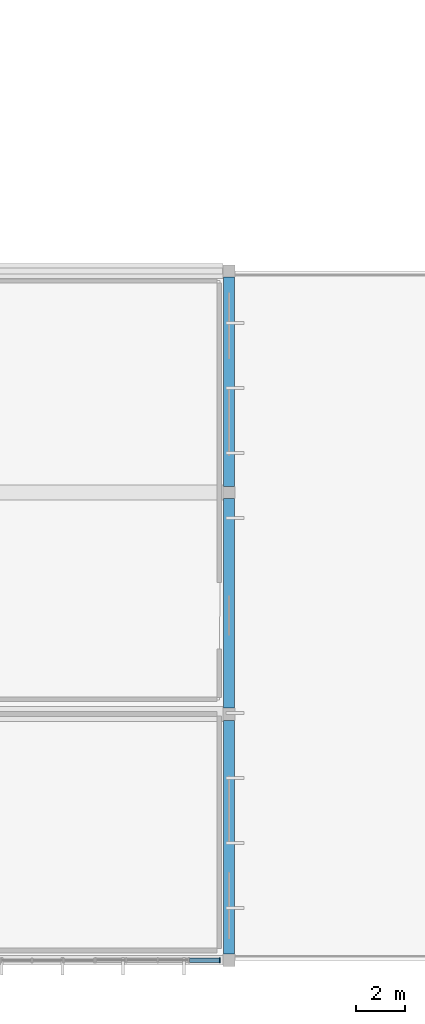
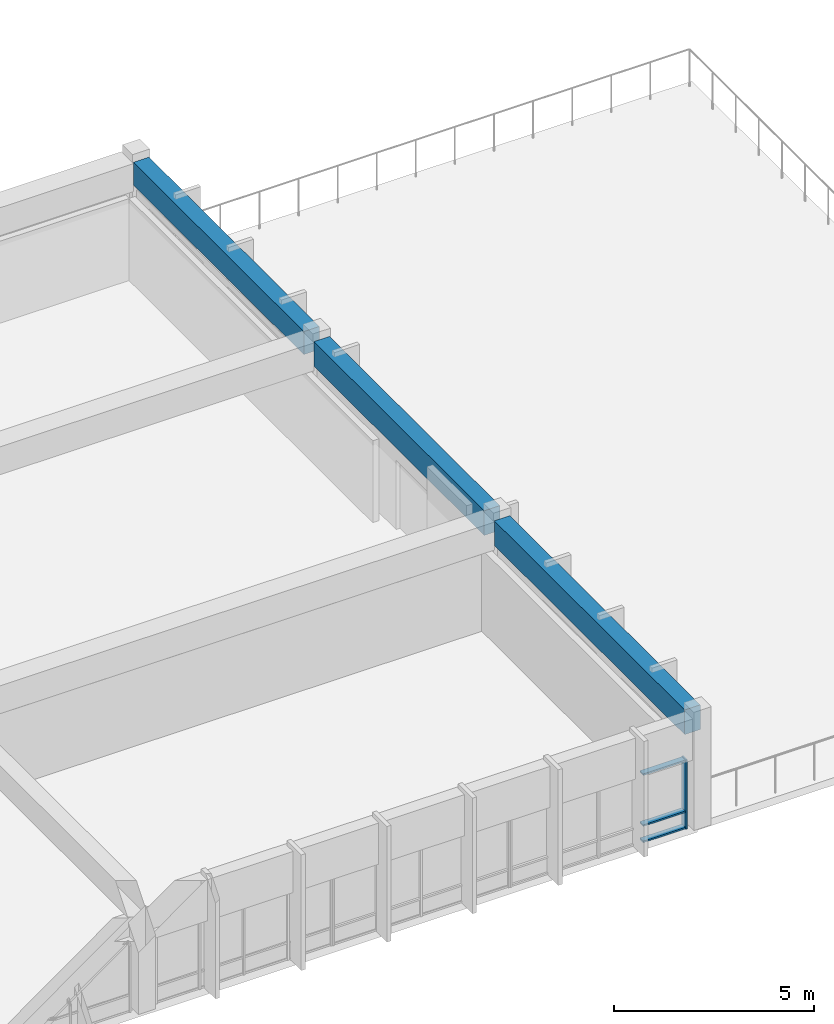
# One storey, part 16 of 33: 4 members, 3 beams, 1 element without a shape of its own.
"""IFC4 building model written with IfcOpenShell, lengths in metres."""

from ifc_helpers import new_model, si_unit, direction, frame, origin, origin_2d, place, context, subcontext, project, spatial, rectangle, extrude, material, material_profile, profile_set, type_object, element, aggregate, save


model = new_model("IFC4")

# Units and contexts
model_context = context("Model", 3, precision=1e-05, world=origin(), true_north=direction((0.0, 1.0)))
body_context = subcontext(model_context, "Body", "Model", "MODEL_VIEW")
ifc_project = project(units=[si_unit("LENGTHUNIT", "METRE"), si_unit("AREAUNIT", "SQUARE_METRE"), si_unit("VOLUMEUNIT", "CUBIC_METRE"), si_unit("PLANEANGLEUNIT", "RADIAN"), si_unit("MASSUNIT", "GRAM", prefix="KILO")], contexts=[model_context])

# Site, building, storey
site_placement = place(None, origin())
site = spatial("IfcSite", under=ifc_project, at=site_placement, CompositionType="ELEMENT")
building_placement = place(site_placement, origin())
building = spatial("IfcBuilding", under=site, at=building_placement, Name="Larkveld Mobility Hub", CompositionType="ELEMENT")
storey_placement = place(building_placement, frame((0.0, 0.0, 15.60009765625)))
storey = spatial("IfcBuildingStorey", under=building, at=storey_placement, Name="L04", CompositionType="ELEMENT", Elevation=15.60009765625)

# Beams
ifc_material_1 = material(Name="Concrete C40/50", Category="concrete")
ifc_material_profile_1 = material_profile(ifc_material_1, rectangle(XDim=0.449951171875, YDim=0.699951171875, at=origin_2d()), Name="RC BM 450x700")
ifc_profile_set_1 = profile_set([ifc_material_profile_1], Name="Concrete C40/50")
beam_type_1 = type_object("IfcBeamType", Name="BM-RC4570", PredefinedType="BEAM", material=ifc_profile_set_1)
beam_1_placement = place(storey_placement, frame((168.0, 19.25, 3.010009765625), z_axis=(0.0, 1.0, 0.0), x_axis=(-1.0, 0.0, 0.0)))
element("IfcBeam", 1, at=beam_1_placement, inside=storey, type_object=beam_type_1, Name="Primary N-S Girder L04-0943", PredefinedType="BEAM", context=body_context, shape_type="SweptSolid", body=[
    extrude(rectangle(XDim=0.449951171875, YDim=0.699951171875, at=origin_2d()), origin(), (0.0, 0.0, 1.0), 8.5),
])
ifc_material_profile_2 = material_profile(ifc_material_1, rectangle(XDim=0.449951171875, YDim=0.75, at=origin_2d()), Name="RC BM 450x750")
ifc_profile_set_2 = profile_set([ifc_material_profile_2], Name="Concrete C40/50")
beam_type_2 = type_object("IfcBeamType", Name="BM-RC4575", PredefinedType="BEAM", material=ifc_profile_set_2)
beam_2_placement = place(storey_placement, frame((168.0, 0.25, 2.98486328125), z_axis=(0.0, 1.0, 0.0), x_axis=(-1.0, 0.0, 0.0)))
element("IfcBeam", 2, at=beam_2_placement, inside=storey, type_object=beam_type_2, Name="Primary N-S Girder L04-0941", PredefinedType="BEAM", context=body_context, shape_type="SweptSolid", body=[
    extrude(rectangle(XDim=0.449951171875, YDim=0.75, at=origin_2d()), origin(), (0.0, 0.0, 1.0), 9.5),
])
beam_3_placement = place(storey_placement, frame((168.0, 10.25, 2.98486328125), z_axis=(0.0, 1.0, 0.0), x_axis=(-1.0, 0.0, 0.0)))
element("IfcBeam", 3, at=beam_3_placement, inside=storey, type_object=beam_type_2, Name="Primary N-S Girder L04-0942", PredefinedType="BEAM", context=body_context, shape_type="SweptSolid", body=[
    extrude(rectangle(XDim=0.449951171875, YDim=0.75, at=origin_2d()), origin(), (0.0, 0.0, 1.0), 8.5),
])

# Curtain wall, members
ifc_material_2 = material(Name="Anodised aluminium 6063-T6", Category="aluminium")
curtain_wall_type = type_object("IfcCurtainWallType", Name="CW-SYS-11", PredefinedType="NOTDEFINED", material=ifc_material_2)
curtain_wall_placement = place(storey_placement, origin())
curtain_wall = element("IfcCurtainWall", 4, at=curtain_wall_placement, inside=storey, type_object=curtain_wall_type, Name="Service Wing South Glazing L04 CW-131", PredefinedType="NOTDEFINED")
ifc_material_profile_3 = material_profile(ifc_material_2, rectangle(XDim=0.050048828125, YDim=0.2099609375, at=origin_2d()), Name="ALU MULL 50x210")
ifc_profile_set_3 = profile_set([ifc_material_profile_3], Name="Anodised aluminium 6063-T6")
member_type_1 = type_object("IfcMemberType", Name="CW-MUL-03", PredefinedType="MULLION", material=ifc_profile_set_3)
member_1_placement = place(storey_placement, frame((167.625, 0.0, -0.002197265625), z_axis=(0.0, 0.0, 1.0), x_axis=(1.0, 0.0, 0.0)))
member_1 = element("IfcMember", 5, at=member_1_placement, type_object=member_type_1, Name="CW11 mullion 5", PredefinedType="MULLION", context=body_context, shape_type="SweptSolid", body=[
    extrude(rectangle(XDim=0.050048828125, YDim=0.2099609375, at=origin_2d()), origin(), (0.0, 0.0, 1.0), 2.112060546875),
])
ifc_material_profile_4 = material_profile(ifc_material_2, rectangle(XDim=0.169921875, YDim=0.050048828125, at=origin_2d()), Name="ALU TRAN 50x170")
ifc_profile_set_4 = profile_set([ifc_material_profile_4], Name="Anodised aluminium 6063-T6")
member_type_2 = type_object("IfcMemberType", Name="CW-TRN-03", PredefinedType="USERDEFINED", material=ifc_profile_set_4)
member_2_placement = place(storey_placement, frame((166.389892578125, 0.0, 0.02978515625), z_axis=(1.0, 0.0, 0.0), x_axis=(0.0, 1.0, 0.0)))
member_2 = element("IfcMember", 6, at=member_2_placement, type_object=member_type_2, Name="CW11 transom 4.1", ObjectType="TRANSOM", PredefinedType="USERDEFINED", context=body_context, shape_type="SweptSolid", body=[
    extrude(rectangle(XDim=0.169921875, YDim=0.050048828125, at=origin_2d()), origin(), (0.0, 0.0, 1.0), 1.22509765625),
])
member_3_placement = place(storey_placement, frame((166.389892578125, 0.0, 0.52685546875), z_axis=(1.0, 0.0, 0.0), x_axis=(0.0, 1.0, 0.0)))
member_3 = element("IfcMember", 7, at=member_3_placement, type_object=member_type_2, Name="CW11 transom 4.2", ObjectType="TRANSOM", PredefinedType="USERDEFINED", context=body_context, shape_type="SweptSolid", body=[
    extrude(rectangle(XDim=0.169921875, YDim=0.050048828125, at=origin_2d()), origin(), (0.0, 0.0, 1.0), 1.22509765625),
])
member_4_placement = place(storey_placement, frame((166.389892578125, 0.0, 2.077880859375), z_axis=(1.0, 0.0, 0.0), x_axis=(0.0, 1.0, 0.0)))
member_4 = element("IfcMember", 8, at=member_4_placement, type_object=member_type_2, Name="CW11 transom 4.3", ObjectType="TRANSOM", PredefinedType="USERDEFINED", context=body_context, shape_type="SweptSolid", body=[
    extrude(rectangle(XDim=0.169921875, YDim=0.050048828125, at=origin_2d()), origin(), (0.0, 0.0, 1.0), 1.22509765625),
])
aggregate(curtain_wall, [member_1, member_2, member_3, member_4])

save(model, "model.ifc")
